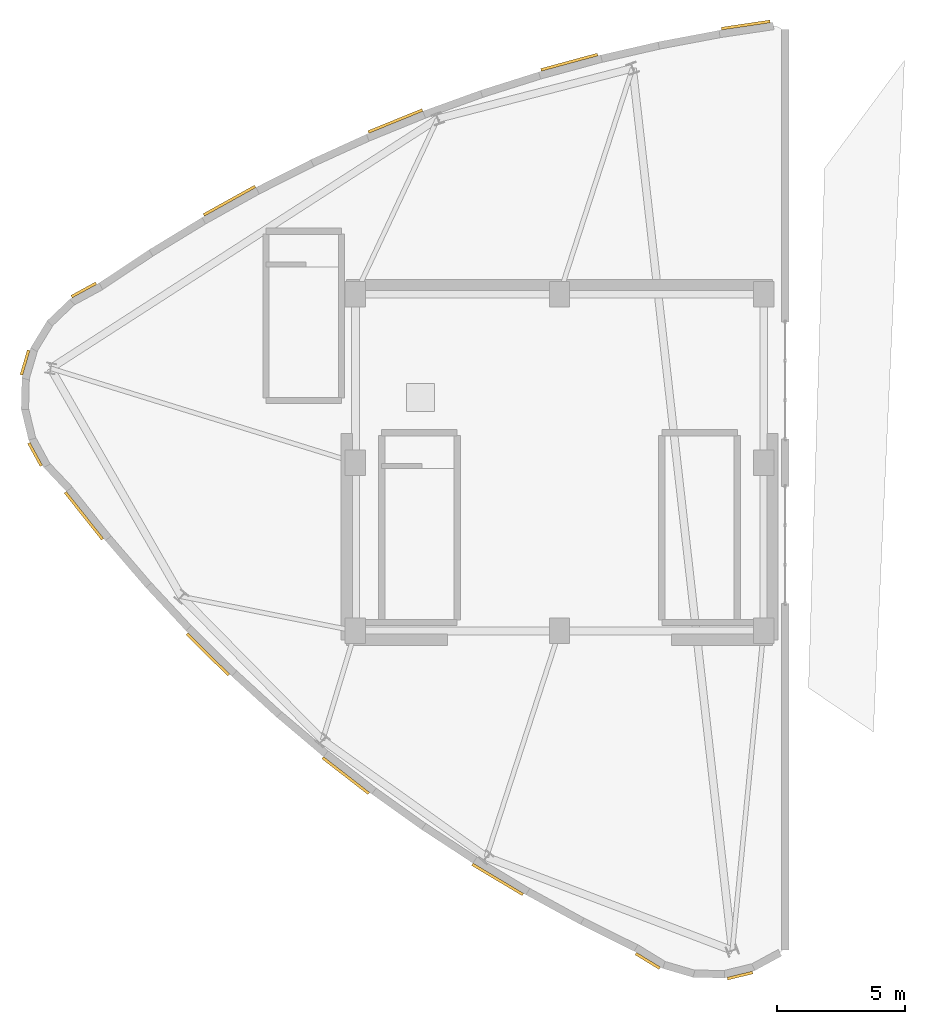
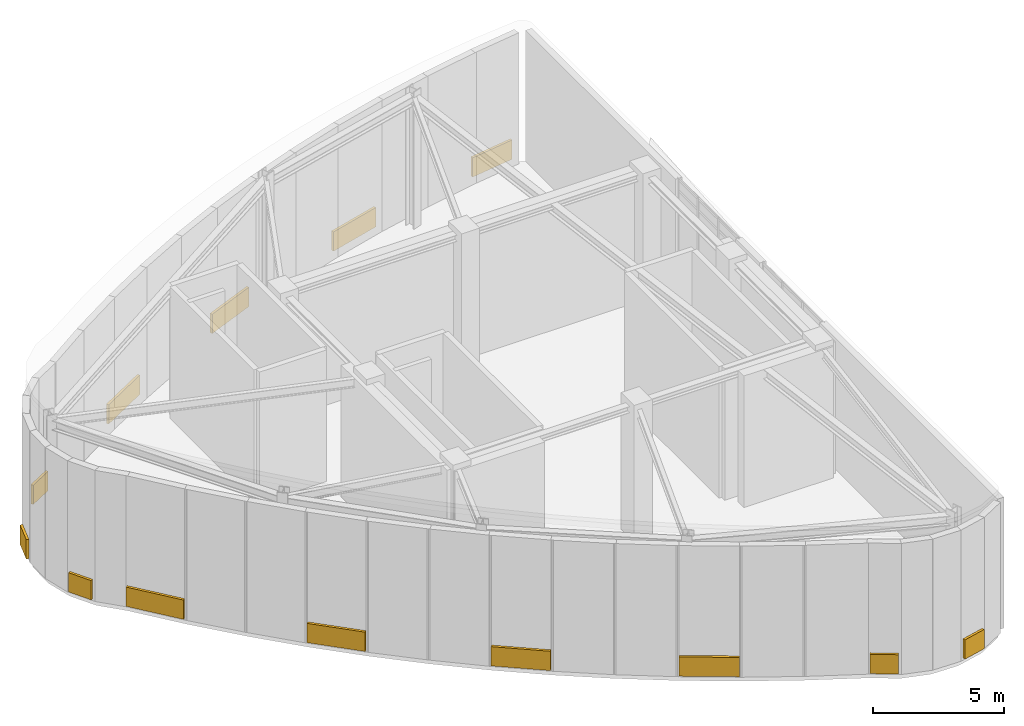
# One storey, part 9 of 9: 13 coverings.
"""IFC4 building model written with IfcOpenShell, lengths in metres."""

from ifc_helpers import new_model, si_unit, direction, frame, origin, origin_2d, place, context, subcontext, project, spatial, rectangle, extrude, material, layer, layer_set, type_object, element, save


model = new_model("IFC4")

# Units and contexts
model_context = context("Model", 3, precision=1e-05, world=origin(), true_north=direction((0.0, 1.0)))
body_context = subcontext(model_context, "Body", "Model", "MODEL_VIEW")
ifc_project = project(units=[si_unit("LENGTHUNIT", "METRE"), si_unit("AREAUNIT", "SQUARE_METRE"), si_unit("VOLUMEUNIT", "CUBIC_METRE"), si_unit("PLANEANGLEUNIT", "RADIAN"), si_unit("MASSUNIT", "GRAM", prefix="KILO")], contexts=[model_context])

# Site, building, storey
site_placement = place(None, origin())
site = spatial("IfcSite", under=ifc_project, at=site_placement, CompositionType="ELEMENT")
building_placement = place(site_placement, origin())
building = spatial("IfcBuilding", under=site, at=building_placement, Name="Ndelora Gate Hotel", CompositionType="ELEMENT")
storey_placement = place(building_placement, frame((0.0, 0.0, 311.60009765625)))
storey = spatial("IfcBuildingStorey", under=building, at=storey_placement, Name="RF2", CompositionType="ELEMENT", Elevation=311.60009765625)

# Coverings
ifc_material = material(Name="Terracotta Fired Clay Brick Slip Cladding", Category="masonry")
ifc_layer = layer(ifc_material, 0.110107421875)
ifc_layer_set = layer_set([ifc_layer], Name="Terracotta Fired Clay Brick Slip Cladding")
covering_type = type_object("IfcCoveringType", Name="COV-CLAD-BRK", PredefinedType="CLADDING", material=ifc_layer_set)
covering_1_placement = place(storey_placement, frame((-18.648193359375, 6.771484375, 0.099853515625), z_axis=(0.0, 0.0, 1.0), x_axis=(0.878150016915, 0.478385354909, 0.0)))
element("IfcCovering", 1, at=covering_1_placement, inside=storey, type_object=covering_type, Name="RF2 Rounded-Corner Brick Cladding Band 1", PredefinedType="CLADDING", context=body_context, shape_type="SweptSolid", body=[
    extrude(rectangle(XDim=1.09912109375, YDim=0.110107421875, at=origin_2d()), origin(), (0.0, 0.0, 1.0), 0.89990234375),
])
for number, where, z_axis, x_axis, name in (
    (2, (-20.954345703125, 3.9248046875, 0.099853515625), (0.0, 0.0, 1.0), (0.282508884416, 0.959264682049, 0.0), "RF2 Rounded-Corner Brick Cladding Band 7"),
    (3, (-20.560302734375, 0.321044921875, 0.099853515625), (0.0, 0.0, 1.0), (-0.478538613714, 0.878066509545, 0.0), "RF2 Rounded-Corner Brick Cladding Band 13"),
):
    element("IfcCovering", number, at=place(storey_placement, frame(where, z_axis=z_axis, x_axis=x_axis)), inside=storey, type_object=covering_type, Name=name, PredefinedType="CLADDING", context=body_context, shape_type="SweptSolid", body=[
        extrude(rectangle(XDim=1.01611328125, YDim=0.110107421875, at=origin_2d()), origin(), (0.0, 0.0, 1.0), 0.89990234375),
    ])
covering_2_placement = place(storey_placement, frame((-18.64453125, -2.084228515625, 0.099853515625), z_axis=(0.0, 0.0, 1.0), x_axis=(-0.62169475011, 0.783259623423, 0.0)))
element("IfcCovering", 4, at=covering_2_placement, inside=storey, type_object=covering_type, Name="RF2 Rounded-Corner Brick Cladding Band 16", PredefinedType="CLADDING", context=body_context, shape_type="SweptSolid", body=[
    extrude(rectangle(XDim=2.35595703125, YDim=0.110107421875, at=origin_2d()), origin(), (0.0, 0.0, 1.0), 0.89990234375),
])
covering_3_placement = place(storey_placement, frame((-13.786865234375, -7.518310546875, 0.099853515625), z_axis=(0.0, 0.0, 1.0), x_axis=(-0.709816657042, 0.704386480127, 0.0)))
element("IfcCovering", 5, at=covering_3_placement, inside=storey, type_object=covering_type, Name="RF2 Rounded-Corner Brick Cladding Band 19", PredefinedType="CLADDING", context=body_context, shape_type="SweptSolid", body=[
    extrude(rectangle(XDim=2.301025390625, YDim=0.110107421875, at=origin_2d()), origin(), (0.0, 0.0, 1.0), 0.89990234375),
])
covering_4_placement = place(storey_placement, frame((-8.381591796875, -12.269287109375, 0.099853515625), z_axis=(0.0, 0.0, 1.0), x_axis=(-0.789833986695, 0.613320693815, 0.0)))
element("IfcCovering", 6, at=covering_4_placement, inside=storey, type_object=covering_type, Name="RF2 Rounded-Corner Brick Cladding Band 22", PredefinedType="CLADDING", context=body_context, shape_type="SweptSolid", body=[
    extrude(rectangle(XDim=2.2890625, YDim=0.110107421875, at=origin_2d()), origin(), (0.0, 0.0, 1.0), 0.89990234375),
])
covering_5_placement = place(storey_placement, frame((-2.426025390625, -16.340087890625, 0.099853515625), z_axis=(0.0, 0.0, 1.0), x_axis=(-0.857885593737, 0.513840741921, 0.0)))
element("IfcCovering", 7, at=covering_5_placement, inside=storey, type_object=covering_type, Name="RF2 Rounded-Corner Brick Cladding Band 25", PredefinedType="CLADDING", context=body_context, shape_type="SweptSolid", body=[
    extrude(rectangle(XDim=2.31298828125, YDim=0.110107421875, at=origin_2d()), origin(), (0.0, 0.0, 1.0), 0.89990234375),
])
covering_6_placement = place(storey_placement, frame((3.459716796875, -19.53564453125, 0.099853515625), z_axis=(0.0, 0.0, 1.0), x_axis=(-0.853368878608, 0.521307545528, 0.0)))
element("IfcCovering", 8, at=covering_6_placement, inside=storey, type_object=covering_type, Name="RF2 Rounded-Corner Brick Cladding Band 28", PredefinedType="CLADDING", context=body_context, shape_type="SweptSolid", body=[
    extrude(rectangle(XDim=1.09912109375, YDim=0.110107421875, at=origin_2d()), origin(), (0.0, 0.0, 1.0), 0.89990234375),
])
covering_7_placement = place(storey_placement, frame((7.078125, -20.109375, 0.099853515625), z_axis=(0.0, 0.0, 1.0), x_axis=(0.972002025815, 0.234972470325, 0.0)))
element("IfcCovering", 9, at=covering_7_placement, inside=storey, type_object=covering_type, Name="RF2 Rounded-Corner Brick Cladding Band 34", PredefinedType="CLADDING", context=body_context, shape_type="SweptSolid", body=[
    extrude(rectangle(XDim=1.01611328125, YDim=0.110107421875, at=origin_2d()), origin(), (0.0, 0.0, 1.0), 0.89990234375),
])
covering_8_placement = place(storey_placement, frame((7.303955078125, 17.1572265625, 0.099853515625), z_axis=(0.0, 0.0, 1.0), x_axis=(0.989170106698, 0.146773635283, 0.0)))
element("IfcCovering", 10, at=covering_8_placement, inside=storey, type_object=covering_type, Name="RF2 Rounded-Corner Brick Cladding Band 52", PredefinedType="CLADDING", context=body_context, shape_type="SweptSolid", body=[
    extrude(rectangle(XDim=1.924072265625, YDim=0.110107421875, at=origin_2d()), origin(), (0.0, 0.0, 1.0), 0.89990234375),
])
covering_9_placement = place(storey_placement, frame((0.38232421875, 15.698974609375, 0.099853515625), z_axis=(0.0, 0.0, 1.0), x_axis=(0.964924914393, 0.262526016964, 0.0)))
element("IfcCovering", 11, at=covering_9_placement, inside=storey, type_object=covering_type, Name="RF2 Rounded-Corner Brick Cladding Band 55", PredefinedType="CLADDING", context=body_context, shape_type="SweptSolid", body=[
    extrude(rectangle(XDim=2.301025390625, YDim=0.110107421875, at=origin_2d()), origin(), (0.0, 0.0, 1.0), 0.89990234375),
])
covering_10_placement = place(storey_placement, frame((-6.434814453125, 13.393310546875, 0.099853515625), z_axis=(0.0, 0.0, 1.0), x_axis=(0.926068294858, 0.377355950342, 0.0)))
element("IfcCovering", 12, at=covering_10_placement, inside=storey, type_object=covering_type, Name="RF2 Rounded-Corner Brick Cladding Band 58", PredefinedType="CLADDING", context=body_context, shape_type="SweptSolid", body=[
    extrude(rectangle(XDim=2.2890625, YDim=0.110107421875, at=origin_2d()), origin(), (0.0, 0.0, 1.0), 0.89990234375),
])
covering_11_placement = place(storey_placement, frame((-12.93798828125, 10.271240234375, 0.099853515625), z_axis=(0.0, 0.0, 1.0), x_axis=(0.873941932872, 0.486030346756, 0.0)))
element("IfcCovering", 13, at=covering_11_placement, inside=storey, type_object=covering_type, Name="RF2 Rounded-Corner Brick Cladding Band 61", PredefinedType="CLADDING", context=body_context, shape_type="SweptSolid", body=[
    extrude(rectangle(XDim=2.31298828125, YDim=0.110107421875, at=origin_2d()), origin(), (0.0, 0.0, 1.0), 0.89990234375),
])

save(model, "model.ifc")
